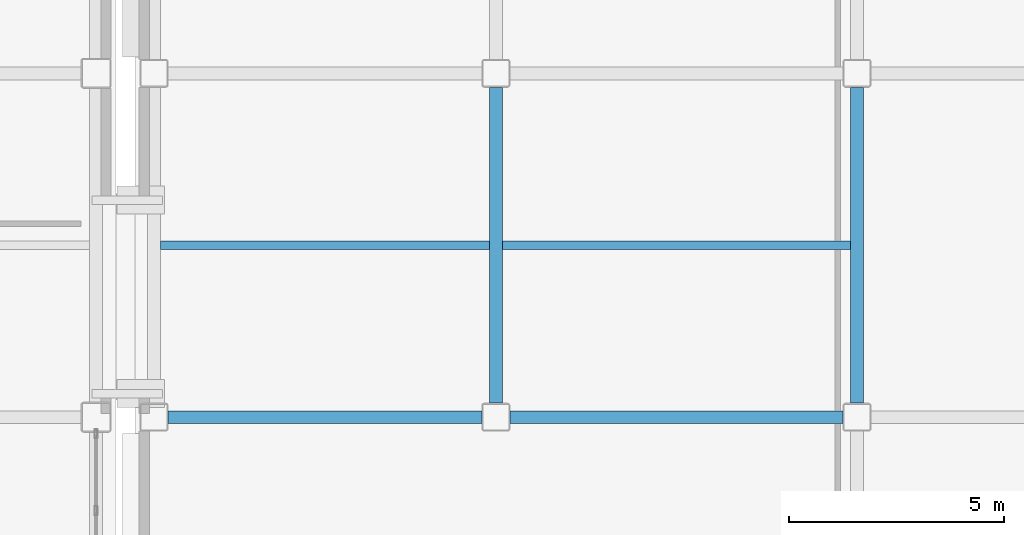
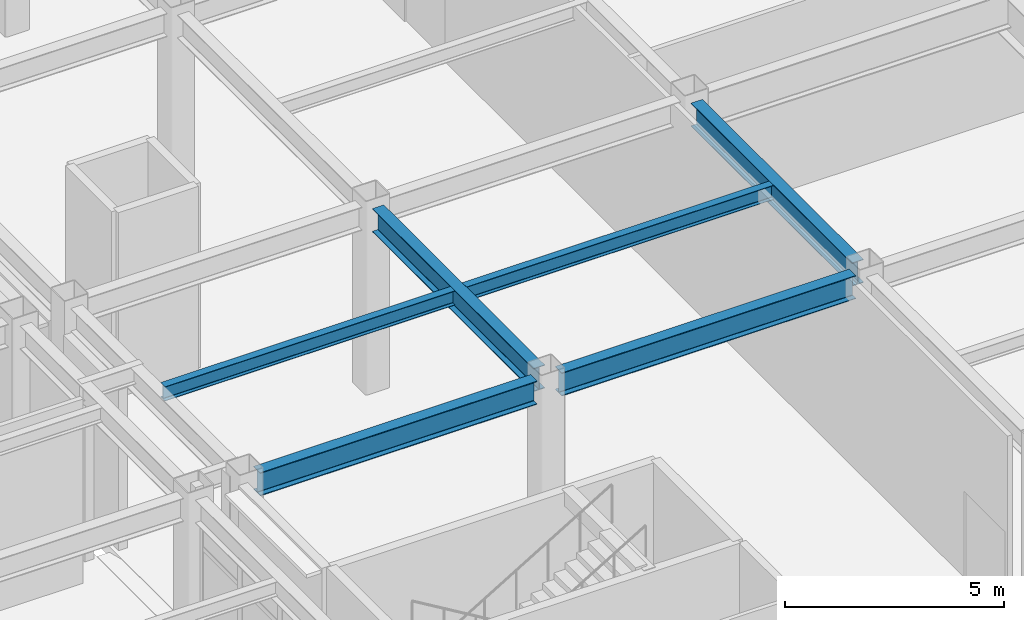
# One storey, part 39 of 165: 6 beams.
"""IFC4 building model written with IfcOpenShell, lengths in metres."""

from ifc_helpers import new_model, si_unit, direction, frame, origin, origin_2d, place, context, subcontext, project, spatial, i_section, extrude, material, material_profile, profile_set, type_object, element, save


model = new_model("IFC4")

# Units and contexts
model_context = context("Model", 3, precision=1e-05, world=origin(), true_north=direction((0.0, 1.0)))
body_context = subcontext(model_context, "Body", "Model", "MODEL_VIEW")
ifc_project = project(units=[si_unit("LENGTHUNIT", "METRE"), si_unit("AREAUNIT", "SQUARE_METRE"), si_unit("VOLUMEUNIT", "CUBIC_METRE"), si_unit("PLANEANGLEUNIT", "RADIAN"), si_unit("MASSUNIT", "GRAM", prefix="KILO")], contexts=[model_context])

# Site, building, storey
site_placement = place(None, origin())
site = spatial("IfcSite", under=ifc_project, at=site_placement, CompositionType="ELEMENT")
building_placement = place(site_placement, origin())
building = spatial("IfcBuilding", under=site, at=building_placement, Name="Kazehara Bluff Congress Hotel", CompositionType="ELEMENT")
storey_placement = place(building_placement, origin())
storey = spatial("IfcBuildingStorey", under=building, at=storey_placement, Name="L00", CompositionType="ELEMENT", Elevation=0.0)

# Beams
ifc_material_1 = material(Name="Steel SN490B", Category="steel")
ifc_material_profile_1 = material_profile(ifc_material_1, i_section(OverallWidth=0.300048828125, OverallDepth=0.64990234375, WebThickness=0.011962890625, FlangeThickness=0.02001953125, FilletRadius=0.012939453125, at=origin_2d()))
ifc_profile_set_1 = profile_set([ifc_material_profile_1], Name="Steel SN490B")
beam_type_1 = type_object("IfcBeamType", Name="TP-G-03", PredefinedType="BEAM", material=ifc_profile_set_1)
for number, where, z_axis, x_axis, name in (
    (1, (67.64990234375, 24.324951171875, 4.824951171875), (0.0, 1.0, 0.0), (-1.0, 0.0, 0.0), "L00 girder G-03 156"),
    (2, (76.050048828125, 24.324951171875, 4.824951171875), (0.0, 1.0, 0.0), (-1.0, 0.0, 0.0), "L00 girder G-03 165"),
):
    element("IfcBeam", number, at=place(storey_placement, frame(where, z_axis=z_axis, x_axis=x_axis)), inside=storey, type_object=beam_type_1, Name=name, PredefinedType="BEAM", context=body_context, shape_type="SweptSolid", body=[
        extrude(i_section(OverallWidth=0.300048828125, OverallDepth=0.64990234375, WebThickness=0.011962890625, FlangeThickness=0.02001953125, FilletRadius=0.012939453125, at=origin_2d()), origin(), (0.0, 0.0, 1.0), 7.35009765625),
    ])
beam_1_placement = place(storey_placement, frame((60.02490234375, 24.0, 4.824951171875), z_axis=(1.0, 0.0, 0.0), x_axis=(0.0, 1.0, 0.0)))
element("IfcBeam", 3, at=beam_1_placement, inside=storey, type_object=beam_type_1, Name="L00 girder G-03 193", PredefinedType="BEAM", context=body_context, shape_type="SweptSolid", body=[
    extrude(i_section(OverallWidth=0.300048828125, OverallDepth=0.64990234375, WebThickness=0.011962890625, FlangeThickness=0.02001953125, FilletRadius=0.012939453125, at=origin_2d()), origin(), (0.0, 0.0, 1.0), 7.300048828125),
])
beam_2_placement = place(storey_placement, frame((67.97509765625, 24.0, 4.824951171875), z_axis=(1.0, 0.0, 0.0), x_axis=(0.0, 1.0, 0.0)))
element("IfcBeam", 4, at=beam_2_placement, inside=storey, type_object=beam_type_1, Name="L00 girder G-03 194", PredefinedType="BEAM", context=body_context, shape_type="SweptSolid", body=[
    extrude(i_section(OverallWidth=0.300048828125, OverallDepth=0.64990234375, WebThickness=0.011962890625, FlangeThickness=0.02001953125, FilletRadius=0.012939453125, at=origin_2d()), origin(), (0.0, 0.0, 1.0), 7.75),
])
ifc_material_2 = material(Name="Steel SN400B", Category="steel")
ifc_material_profile_2 = material_profile(ifc_material_2, i_section(OverallWidth=0.199951171875, OverallDepth=0.39990234375, WebThickness=0.008056640625, FlangeThickness=0.012939453125, FilletRadius=0.012939453125, at=origin_2d()))
ifc_profile_set_2 = profile_set([ifc_material_profile_2], Name="Steel SN400B")
beam_type_2 = type_object("IfcBeamType", Name="TP-J-03", PredefinedType="JOIST", material=ifc_profile_set_2)
beam_3_placement = place(storey_placement, frame((59.85009765625, 28.0, 4.949951171875), z_axis=(1.0, 0.0, 0.0), x_axis=(0.0, 1.0, 0.0)))
element("IfcBeam", 5, at=beam_3_placement, inside=storey, type_object=beam_type_2, Name="L00 secondary joist J-03 32", PredefinedType="JOIST", context=body_context, shape_type="SweptSolid", body=[
    extrude(i_section(OverallWidth=0.199951171875, OverallDepth=0.39990234375, WebThickness=0.008056640625, FlangeThickness=0.012939453125, FilletRadius=0.012939453125, at=origin_2d()), origin(), (0.0, 0.0, 1.0), 7.64990234375),
])
beam_4_placement = place(storey_placement, frame((67.800048828125, 28.0, 4.949951171875), z_axis=(1.0, 0.0, 0.0), x_axis=(0.0, 1.0, 0.0)))
element("IfcBeam", 6, at=beam_4_placement, inside=storey, type_object=beam_type_2, Name="L00 secondary joist J-03 38", PredefinedType="JOIST", context=body_context, shape_type="SweptSolid", body=[
    extrude(i_section(OverallWidth=0.199951171875, OverallDepth=0.39990234375, WebThickness=0.008056640625, FlangeThickness=0.012939453125, FilletRadius=0.012939453125, at=origin_2d()), origin(), (0.0, 0.0, 1.0), 8.099853515625),
])

save(model, "model.ifc")
